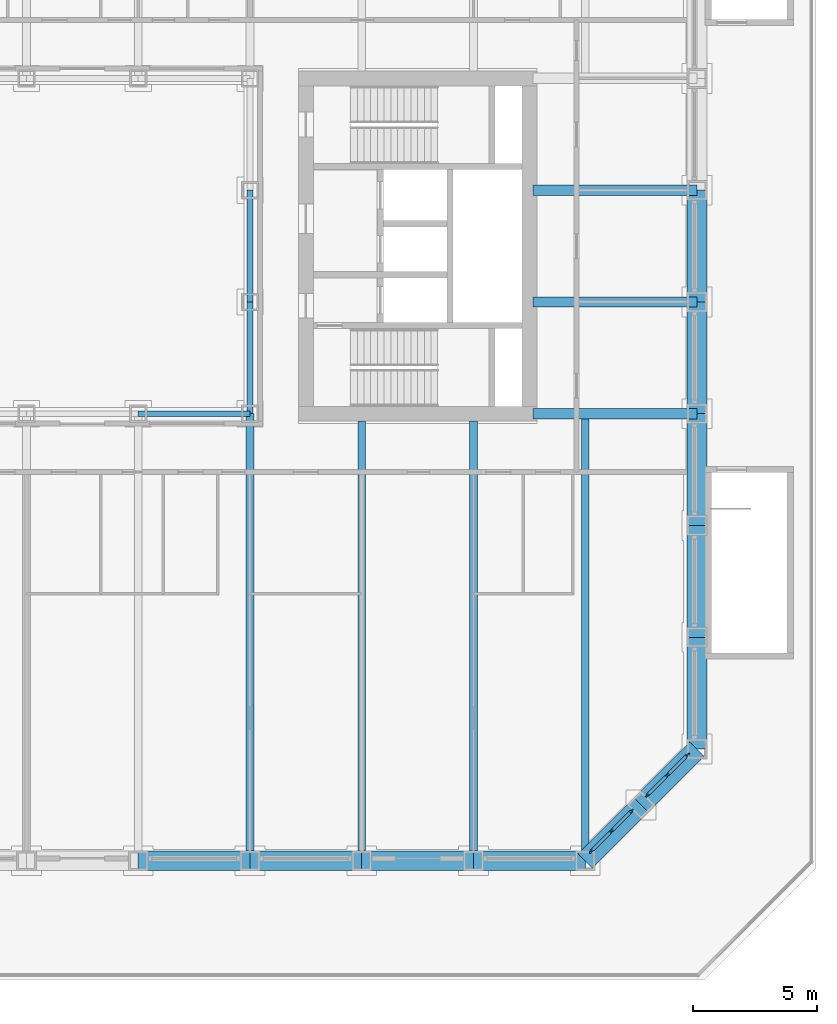
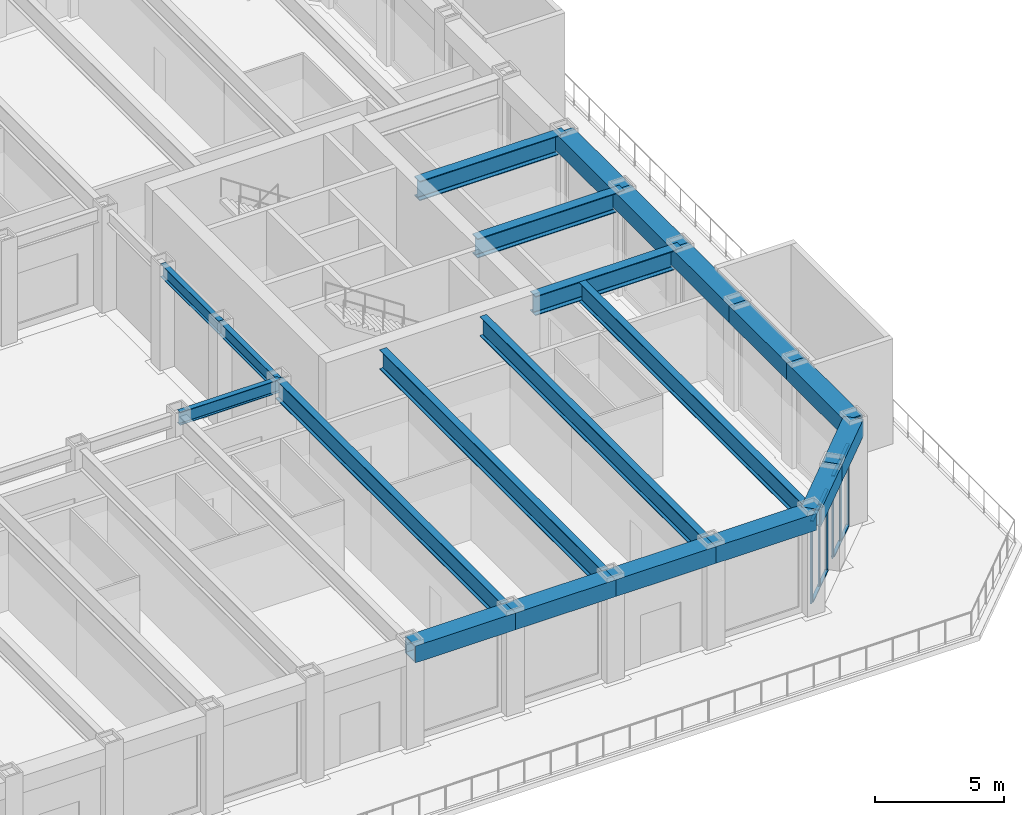
# One storey, part 3 of 18: 21 beams, 14 members, 2 elements without a shape of their own.
"""IFC4 building model written with IfcOpenShell, lengths in metres."""

from ifc_helpers import new_model, si_unit, direction, frame, origin, origin_2d, place, context, subcontext, project, spatial, rectangle, hollow_rectangle, i_section, extrude, material, material_profile, profile_set, type_object, element, aggregate, save


model = new_model("IFC4")

# Units and contexts
model_context = context("Model", 3, precision=1e-05, world=origin(), true_north=direction((0.0, 1.0)))
body_context = subcontext(model_context, "Body", "Model", "MODEL_VIEW")
ifc_project = project(units=[si_unit("LENGTHUNIT", "METRE"), si_unit("AREAUNIT", "SQUARE_METRE"), si_unit("VOLUMEUNIT", "CUBIC_METRE"), si_unit("PLANEANGLEUNIT", "RADIAN"), si_unit("MASSUNIT", "GRAM", prefix="KILO")], contexts=[model_context])

# Site, building, storey
site_placement = place(None, origin())
site = spatial("IfcSite", under=ifc_project, at=site_placement, CompositionType="ELEMENT")
building_placement = place(site_placement, origin())
building = spatial("IfcBuilding", under=site, at=building_placement, Name="Msasa Ring Tower", CompositionType="ELEMENT")
storey_placement = place(building_placement, frame((0.0, 0.0, 21.5)))
storey = spatial("IfcBuildingStorey", under=building, at=storey_placement, Name="L04", CompositionType="ELEMENT", Elevation=21.5)

# Curtain wall, members
ifc_material_1 = material(Name="Aluminium curtain wall with clear glass", Category="aluminium")
curtain_wall_type = type_object("IfcCurtainWallType", Name="CW-C CHAMFER CORNER CURTAIN WALL", PredefinedType="NOTDEFINED", material=ifc_material_1)
curtain_wall_1_placement = place(storey_placement, origin())
curtain_wall_1 = element("IfcCurtainWall", 1, at=curtain_wall_1_placement, inside=storey, type_object=curtain_wall_type, Name="Chamfer corner curtain wall SE L04", PredefinedType="NOTDEFINED")
ifc_material_2 = material(Name="Aluminium mullion", Category="aluminium")
ifc_material_profile_1 = material_profile(ifc_material_2, rectangle(XDim=0.06494140625, YDim=0.179931640625, at=origin_2d()), Name="AL 65x180")
ifc_profile_set_1 = profile_set([ifc_material_profile_1], Name="Aluminium mullion")
member_type_1 = type_object("IfcMemberType", Name="CW-C MULLION 65x180", PredefinedType="MULLION", material=ifc_profile_set_1)
member_1_placement = place(storey_placement, frame((20.48876953125, -24.369873046875, 0.0), z_axis=(0.0, 0.0, 1.0), x_axis=(-0.707106781187, 0.707106781187, 0.0)))
member_1 = element("IfcMember", 2, at=member_1_placement, type_object=member_type_1, Name="CW-C mullion 1", PredefinedType="MULLION", context=body_context, shape_type="SweptSolid", body=[
    extrude(rectangle(XDim=0.06494140625, YDim=0.179931640625, at=origin_2d()), origin(), (0.0, 0.0, 1.0), 3.87890625),
])
member_2_placement = place(storey_placement, frame((21.30419921875, -23.55419921875, 0.0), z_axis=(0.0, 0.0, 1.0), x_axis=(-0.707106781187, 0.707106781187, 0.0)))
member_2 = element("IfcMember", 3, at=member_2_placement, type_object=member_type_1, Name="CW-C mullion 2", PredefinedType="MULLION", context=body_context, shape_type="SweptSolid", body=[
    extrude(rectangle(XDim=0.06494140625, YDim=0.179931640625, at=origin_2d()), origin(), (0.0, 0.0, 1.0), 3.87890625),
])
member_3_placement = place(storey_placement, frame((22.119873046875, -22.73876953125, 0.0), z_axis=(0.0, 0.0, 1.0), x_axis=(-0.707106781187, 0.707106781187, 0.0)))
member_3 = element("IfcMember", 4, at=member_3_placement, type_object=member_type_1, Name="CW-C mullion 3", PredefinedType="MULLION", context=body_context, shape_type="SweptSolid", body=[
    extrude(rectangle(XDim=0.06494140625, YDim=0.179931640625, at=origin_2d()), origin(), (0.0, 0.0, 1.0), 3.87890625),
])

curtain_wall_2_placement = place(storey_placement, origin())
curtain_wall_2 = element("IfcCurtainWall", 5, at=curtain_wall_2_placement, inside=storey, type_object=curtain_wall_type, Name="Chamfer corner curtain wall SE L04", PredefinedType="NOTDEFINED")
member_4_placement = place(storey_placement, frame((22.73876953125, -22.119873046875, 0.0), z_axis=(0.0, 0.0, 1.0), x_axis=(-0.707106781187, 0.707106781187, 0.0)))
member_4 = element("IfcMember", 6, at=member_4_placement, type_object=member_type_1, Name="CW-C mullion 1", PredefinedType="MULLION", context=body_context, shape_type="SweptSolid", body=[
    extrude(rectangle(XDim=0.06494140625, YDim=0.179931640625, at=origin_2d()), origin(), (0.0, 0.0, 1.0), 3.87890625),
])
member_5_placement = place(storey_placement, frame((23.55419921875, -21.30419921875, 0.0), z_axis=(0.0, 0.0, 1.0), x_axis=(-0.707106781187, 0.707106781187, 0.0)))
member_5 = element("IfcMember", 7, at=member_5_placement, type_object=member_type_1, Name="CW-C mullion 2", PredefinedType="MULLION", context=body_context, shape_type="SweptSolid", body=[
    extrude(rectangle(XDim=0.06494140625, YDim=0.179931640625, at=origin_2d()), origin(), (0.0, 0.0, 1.0), 3.87890625),
])
member_6_placement = place(storey_placement, frame((24.369873046875, -20.48876953125, 0.0), z_axis=(0.0, 0.0, 1.0), x_axis=(-0.707106781187, 0.707106781187, 0.0)))
member_6 = element("IfcMember", 8, at=member_6_placement, type_object=member_type_1, Name="CW-C mullion 3", PredefinedType="MULLION", context=body_context, shape_type="SweptSolid", body=[
    extrude(rectangle(XDim=0.06494140625, YDim=0.179931640625, at=origin_2d()), origin(), (0.0, 0.0, 1.0), 3.87890625),
])

# Member
ifc_material_3 = material(Name="Aluminium transom", Category="aluminium")
ifc_material_profile_2 = material_profile(ifc_material_3, rectangle(XDim=0.139892578125, YDim=0.06494140625, at=origin_2d()), Name="AL 65x140")
ifc_profile_set_2 = profile_set([ifc_material_profile_2], Name="Aluminium transom")
member_type_2 = type_object("IfcMemberType", Name="CW-C TRANSOM 65x140", PredefinedType="USERDEFINED", material=ifc_profile_set_2)
member_7_placement = place(storey_placement, frame((20.51171875, -24.346923828125, 0.032470703125), z_axis=(0.707106781187, 0.707106781187, 0.0), x_axis=(-0.707106781187, 0.707106781187, 0.0)))
member_7 = element("IfcMember", 9, at=member_7_placement, type_object=member_type_2, Name="CW-C transom 1.1", ObjectType="TRANSOM", PredefinedType="USERDEFINED", context=body_context, shape_type="SweptSolid", body=[
    extrude(rectangle(XDim=0.139892578125, YDim=0.06494140625, at=origin_2d()), origin(), (0.0, 0.0, 1.0), 1.08837890625),
])

member_8_placement = place(storey_placement, frame((20.51171875, -24.346923828125, 3.846435546875), z_axis=(0.707106781187, 0.707106781187, 0.0), x_axis=(-0.707106781187, 0.707106781187, 0.0)))
member_8 = element("IfcMember", 10, at=member_8_placement, type_object=member_type_2, Name="CW-C transom 1.2", ObjectType="TRANSOM", PredefinedType="USERDEFINED", context=body_context, shape_type="SweptSolid", body=[
    extrude(rectangle(XDim=0.139892578125, YDim=0.06494140625, at=origin_2d()), origin(), (0.0, 0.0, 1.0), 1.08837890625),
])

member_9_placement = place(storey_placement, frame((21.327392578125, -23.53125, 0.032470703125), z_axis=(0.707106781187, 0.707106781187, 0.0), x_axis=(-0.707106781187, 0.707106781187, 0.0)))
member_9 = element("IfcMember", 11, at=member_9_placement, type_object=member_type_2, Name="CW-C transom 2.1", ObjectType="TRANSOM", PredefinedType="USERDEFINED", context=body_context, shape_type="SweptSolid", body=[
    extrude(rectangle(XDim=0.139892578125, YDim=0.06494140625, at=origin_2d()), origin(), (0.0, 0.0, 1.0), 1.08837890625),
])

member_10_placement = place(storey_placement, frame((21.327392578125, -23.53125, 3.846435546875), z_axis=(0.707106781187, 0.707106781187, 0.0), x_axis=(-0.707106781187, 0.707106781187, 0.0)))
member_10 = element("IfcMember", 12, at=member_10_placement, type_object=member_type_2, Name="CW-C transom 2.2", ObjectType="TRANSOM", PredefinedType="USERDEFINED", context=body_context, shape_type="SweptSolid", body=[
    extrude(rectangle(XDim=0.139892578125, YDim=0.06494140625, at=origin_2d()), origin(), (0.0, 0.0, 1.0), 1.08837890625),
])

aggregate(curtain_wall_1, [member_1, member_2, member_3, member_7, member_8, member_9, member_10])

member_11_placement = place(storey_placement, frame((22.76171875, -22.096923828125, 0.032470703125), z_axis=(0.707106781187, 0.707106781187, 0.0), x_axis=(-0.707106781187, 0.707106781187, 0.0)))
member_11 = element("IfcMember", 13, at=member_11_placement, type_object=member_type_2, Name="CW-C transom 1.1", ObjectType="TRANSOM", PredefinedType="USERDEFINED", context=body_context, shape_type="SweptSolid", body=[
    extrude(rectangle(XDim=0.139892578125, YDim=0.06494140625, at=origin_2d()), origin(), (0.0, 0.0, 1.0), 1.08837890625),
])

member_12_placement = place(storey_placement, frame((22.76171875, -22.096923828125, 3.846435546875), z_axis=(0.707106781187, 0.707106781187, 0.0), x_axis=(-0.707106781187, 0.707106781187, 0.0)))
member_12 = element("IfcMember", 14, at=member_12_placement, type_object=member_type_2, Name="CW-C transom 1.2", ObjectType="TRANSOM", PredefinedType="USERDEFINED", context=body_context, shape_type="SweptSolid", body=[
    extrude(rectangle(XDim=0.139892578125, YDim=0.06494140625, at=origin_2d()), origin(), (0.0, 0.0, 1.0), 1.08837890625),
])

member_13_placement = place(storey_placement, frame((23.577392578125, -21.28125, 0.032470703125), z_axis=(0.707106781187, 0.707106781187, 0.0), x_axis=(-0.707106781187, 0.707106781187, 0.0)))
member_13 = element("IfcMember", 15, at=member_13_placement, type_object=member_type_2, Name="CW-C transom 2.1", ObjectType="TRANSOM", PredefinedType="USERDEFINED", context=body_context, shape_type="SweptSolid", body=[
    extrude(rectangle(XDim=0.139892578125, YDim=0.06494140625, at=origin_2d()), origin(), (0.0, 0.0, 1.0), 1.08837890625),
])

member_14_placement = place(storey_placement, frame((23.577392578125, -21.28125, 3.846435546875), z_axis=(0.707106781187, 0.707106781187, 0.0), x_axis=(-0.707106781187, 0.707106781187, 0.0)))
member_14 = element("IfcMember", 16, at=member_14_placement, type_object=member_type_2, Name="CW-C transom 2.2", ObjectType="TRANSOM", PredefinedType="USERDEFINED", context=body_context, shape_type="SweptSolid", body=[
    extrude(rectangle(XDim=0.139892578125, YDim=0.06494140625, at=origin_2d()), origin(), (0.0, 0.0, 1.0), 1.08837890625),
])

aggregate(curtain_wall_2, [member_4, member_5, member_6, member_11, member_12, member_13, member_14])

# Beams
ifc_material_4 = material(Name="Steel S355", Category="steel")
ifc_material_profile_3 = material_profile(ifc_material_4, i_section(OverallWidth=0.42041015625, OverallDepth=0.9208984375, WebThickness=0.021484375, FlangeThickness=0.03662109375, FilletRadius=0.024169921875, at=origin_2d()), Name="UB 914x419x388")
ifc_profile_set_3 = profile_set([ifc_material_profile_3], Name="Steel S355")
beam_type_1 = type_object("IfcBeamType", Name="FB2 UB 914x419x388", PredefinedType="BEAM", material=ifc_profile_set_3)
for number, where, z_axis, x_axis, name in (
    (17, (24.75, -2.25, 4.339599609375), (-1.0, 0.0, 0.0), (0.0, -1.0, 0.0), "Floor beam E -2.25 under L05"),
    (18, (24.75, 2.25, 4.339599609375), (-1.0, 0.0, 0.0), (0.0, -1.0, 0.0), "Floor beam E +2.25 under L05"),
):
    element("IfcBeam", number, at=place(storey_placement, frame(where, z_axis=z_axis, x_axis=x_axis)), inside=storey, type_object=beam_type_1, Name=name, PredefinedType="BEAM", context=body_context, shape_type="SweptSolid", body=[
        extrude(i_section(OverallWidth=0.42041015625, OverallDepth=0.9208984375, WebThickness=0.021484375, FlangeThickness=0.03662109375, FilletRadius=0.024169921875, at=origin_2d()), origin(), (0.0, 0.0, 1.0), 6.60009765625),
    ])
ifc_material_5 = material(Name="Steel S355", Category="steel")
ifc_material_profile_4 = material_profile(ifc_material_5, i_section(OverallWidth=0.3076171875, OverallDepth=0.926513671875, WebThickness=0.01953125, FlangeThickness=0.031982421875, FilletRadius=0.01904296875, at=origin_2d()), Name="UB 914x305x289")
ifc_profile_set_4 = profile_set([ifc_material_profile_4], Name="Steel S355")
beam_type_2 = type_object("IfcBeamType", Name="FB3 UB 914x305x289", PredefinedType="BEAM", material=ifc_profile_set_4)
beam_1_placement = place(storey_placement, frame((6.75, -24.75, 4.336669921875), z_axis=(0.0, 1.0, 0.0), x_axis=(-1.0, 0.0, 0.0)))
element("IfcBeam", 19, at=beam_1_placement, inside=storey, type_object=beam_type_2, Name="Floor beam S+6.75 under L05", PredefinedType="BEAM", context=body_context, shape_type="SweptSolid", body=[
    extrude(i_section(OverallWidth=0.3076171875, OverallDepth=0.926513671875, WebThickness=0.01953125, FlangeThickness=0.031982421875, FilletRadius=0.01904296875, at=origin_2d()), origin(), (0.0, 0.0, 1.0), 18.0),
])
for number, where, z_axis, x_axis, name in (
    (20, (11.25, -24.75, 4.336669921875), (0.0, 1.0, 0.0), (-1.0, 0.0, 0.0), "Floor beam S+11.25 under L05"),
    (21, (15.75, -24.75, 4.336669921875), (0.0, 1.0, 0.0), (-1.0, 0.0, 0.0), "Floor beam S+15.75 under L05"),
):
    element("IfcBeam", number, at=place(storey_placement, frame(where, z_axis=z_axis, x_axis=x_axis)), inside=storey, type_object=beam_type_2, Name=name, PredefinedType="BEAM", context=body_context, shape_type="SweptSolid", body=[
        extrude(i_section(OverallWidth=0.3076171875, OverallDepth=0.926513671875, WebThickness=0.01953125, FlangeThickness=0.031982421875, FilletRadius=0.01904296875, at=origin_2d()), origin(), (0.0, 0.0, 1.0), 17.699951171875),
    ])
beam_2_placement = place(storey_placement, frame((20.25, -24.75, 4.336669921875), z_axis=(0.0, 1.0, 0.0), x_axis=(-1.0, 0.0, 0.0)))
element("IfcBeam", 22, at=beam_2_placement, inside=storey, type_object=beam_type_2, Name="Floor beam S+20.25 under L05", PredefinedType="BEAM", context=body_context, shape_type="SweptSolid", body=[
    extrude(i_section(OverallWidth=0.3076171875, OverallDepth=0.926513671875, WebThickness=0.01953125, FlangeThickness=0.031982421875, FilletRadius=0.01904296875, at=origin_2d()), origin(), (0.0, 0.0, 1.0), 17.789794921875),
])
ifc_material_6 = material(Name="Steel S355", Category="steel")
ifc_material_profile_5 = material_profile(ifc_material_6, i_section(OverallWidth=0.42041015625, OverallDepth=0.9208984375, WebThickness=0.021484375, FlangeThickness=0.03662109375, FilletRadius=0.024169921875, at=origin_2d()), Name="UB 914x419x388")
ifc_profile_set_5 = profile_set([ifc_material_profile_5], Name="Steel S355")
beam_type_3 = type_object("IfcBeamType", Name="GB1 UB 914x419x388", PredefinedType="BEAM", material=ifc_profile_set_5)
beam_3_placement = place(storey_placement, frame((18.14990234375, -6.75, 4.339599609375), z_axis=(1.0, 0.0, 0.0), x_axis=(0.0, 1.0, 0.0)))
element("IfcBeam", 23, at=beam_3_placement, inside=storey, type_object=beam_type_3, Name="Girder E -6.75 under L05", PredefinedType="BEAM", context=body_context, shape_type="SweptSolid", body=[
    extrude(i_section(OverallWidth=0.42041015625, OverallDepth=0.9208984375, WebThickness=0.021484375, FlangeThickness=0.03662109375, FilletRadius=0.024169921875, at=origin_2d()), origin(), (0.0, 0.0, 1.0), 6.60009765625),
])
ifc_material_7 = material(Name="Steel S355", Category="steel")
ifc_material_profile_6 = material_profile(ifc_material_7, i_section(OverallWidth=0.230224609375, OverallDepth=0.6171875, WebThickness=0.01318359375, FlangeThickness=0.022216796875, FilletRadius=0.0126953125, at=origin_2d()), Name="UB 610x229x140")
ifc_profile_set_6 = profile_set([ifc_material_profile_6], Name="Steel S355")
beam_type_4 = type_object("IfcBeamType", Name="RB1 UB 610x229x140", PredefinedType="BEAM", material=ifc_profile_set_6)
for number, where, z_axis, x_axis, name in (
    (24, (2.25, -6.75, 4.491455078125), (1.0, 0.0, 0.0), (0.0, 1.0, 0.0), "Inner ring beam IR+2.25-6.75 under L05"),
    (25, (6.75, -6.75, 4.491455078125), (0.0, 1.0, 0.0), (-1.0, 0.0, 0.0), "Inner ring beam IR+6.75-6.75 under L05"),
    (26, (6.75, -2.25, 4.491455078125), (0.0, 1.0, 0.0), (-1.0, 0.0, 0.0), "Inner ring beam IR+6.75-2.25 under L05"),
):
    element("IfcBeam", number, at=place(storey_placement, frame(where, z_axis=z_axis, x_axis=x_axis)), inside=storey, type_object=beam_type_4, Name=name, PredefinedType="BEAM", context=body_context, shape_type="SweptSolid", body=[
        extrude(i_section(OverallWidth=0.230224609375, OverallDepth=0.6171875, WebThickness=0.01318359375, FlangeThickness=0.022216796875, FilletRadius=0.0126953125, at=origin_2d()), origin(), (0.0, 0.0, 1.0), 4.5),
    ])
ifc_material_8 = material(Name="Steel S355", Category="steel")
ifc_material_profile_7 = material_profile(ifc_material_8, hollow_rectangle(XDim=0.800048828125, YDim=0.800048828125, WallThickness=0.06005859375, at=origin_2d()), Name="BOX 800x800x60")
ifc_profile_set_7 = profile_set([ifc_material_profile_7], Name="Steel S355")
beam_type_5 = type_object("IfcBeamType", Name="SB3 BOX 800x800x60", PredefinedType="SPANDREL", material=ifc_profile_set_7)
for number, where, z_axis, x_axis, name in (
    (27, (2.25, -24.75, 4.39990234375), (1.0, 0.0, 0.0), (0.0, 1.0, 0.0), "Spandrel S+2.25 to S+6.75 under L05"),
    (28, (6.75, -24.75, 4.39990234375), (1.0, 0.0, 0.0), (0.0, 1.0, 0.0), "Spandrel S+6.75 to S+11.25 under L05"),
    (29, (11.25, -24.75, 4.39990234375), (1.0, 0.0, 0.0), (0.0, 1.0, 0.0), "Spandrel S+11.25 to S+15.75 under L05"),
    (30, (15.75, -24.75, 4.39990234375), (1.0, 0.0, 0.0), (0.0, 1.0, 0.0), "Spandrel S+15.75 to S+20.25 under L05"),
):
    element("IfcBeam", number, at=place(storey_placement, frame(where, z_axis=z_axis, x_axis=x_axis)), inside=storey, type_object=beam_type_5, Name=name, PredefinedType="SPANDREL", context=body_context, shape_type="SweptSolid", body=[
        extrude(hollow_rectangle(XDim=0.800048828125, YDim=0.800048828125, WallThickness=0.06005859375, at=origin_2d()), origin(), (0.0, 0.0, 1.0), 4.5),
    ])
for number, where, z_axis, x_axis, name in (
    (31, (20.25, -24.75, 4.39990234375), (0.707106781187, 0.707106781187, 0.0), (-0.707106781187, 0.707106781187, 0.0), "Spandrel S+20.25 to SE under L05"),
    (32, (22.5, -22.5, 4.39990234375), (0.707106781187, 0.707106781187, 0.0), (-0.707106781187, 0.707106781187, 0.0), "Spandrel SE to E-20.25 under L05"),
):
    element("IfcBeam", number, at=place(storey_placement, frame(where, z_axis=z_axis, x_axis=x_axis)), inside=storey, type_object=beam_type_5, Name=name, PredefinedType="SPANDREL", context=body_context, shape_type="SweptSolid", body=[
        extrude(hollow_rectangle(XDim=0.800048828125, YDim=0.800048828125, WallThickness=0.06005859375, at=origin_2d()), origin(), (0.0, 0.0, 1.0), 3.181884765625),
    ])
for number, where, z_axis, x_axis, name in (
    (33, (24.75, -20.25, 4.39990234375), (0.0, 1.0, 0.0), (-1.0, 0.0, 0.0), "Spandrel E-20.25 to E-15.75 under L05"),
    (34, (24.75, -15.75, 4.39990234375), (0.0, 1.0, 0.0), (-1.0, 0.0, 0.0), "Spandrel E-15.75 to E-11.25 under L05"),
    (35, (24.75, -11.25, 4.39990234375), (0.0, 1.0, 0.0), (-1.0, 0.0, 0.0), "Spandrel E-11.25 to E-6.75 under L05"),
    (36, (24.75, -6.75, 4.39990234375), (0.0, 1.0, 0.0), (-1.0, 0.0, 0.0), "Spandrel E-6.75 to E-2.25 under L05"),
    (37, (24.75, -2.25, 4.39990234375), (0.0, 1.0, 0.0), (-1.0, 0.0, 0.0), "Spandrel E-2.25 to E+2.25 under L05"),
):
    element("IfcBeam", number, at=place(storey_placement, frame(where, z_axis=z_axis, x_axis=x_axis)), inside=storey, type_object=beam_type_5, Name=name, PredefinedType="SPANDREL", context=body_context, shape_type="SweptSolid", body=[
        extrude(hollow_rectangle(XDim=0.800048828125, YDim=0.800048828125, WallThickness=0.06005859375, at=origin_2d()), origin(), (0.0, 0.0, 1.0), 4.5),
    ])

save(model, "model.ifc")
